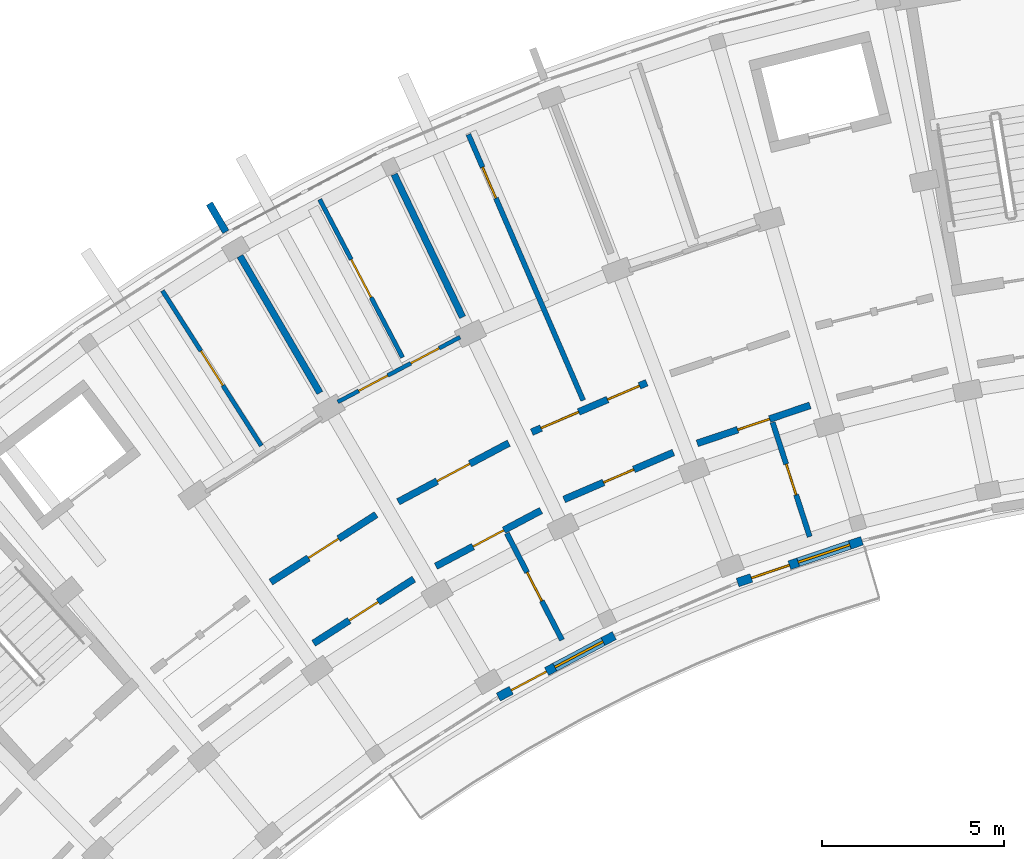
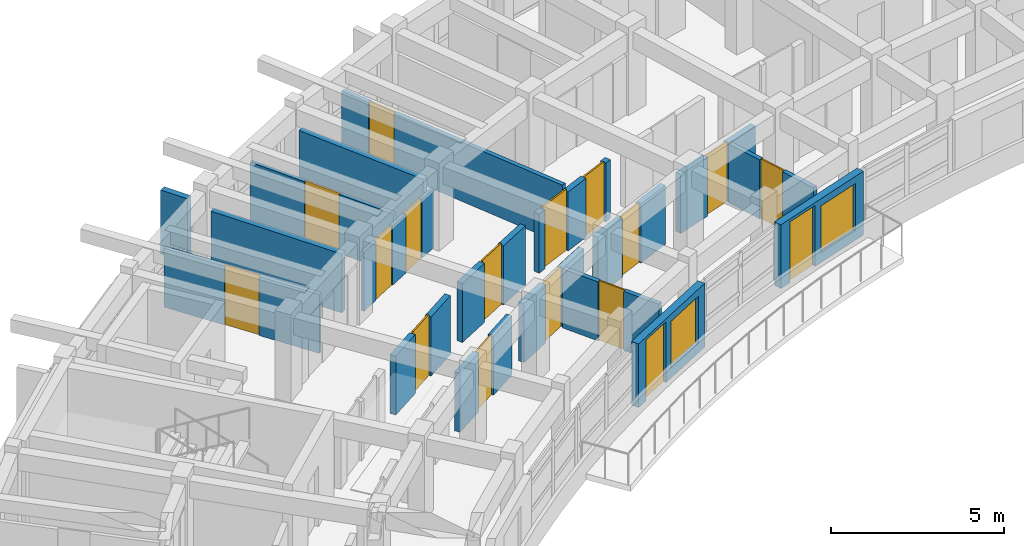
# One storey, part 28 of 54: 18 walls, 17 doors, 2 windows, 19 openings.
"""IFC4 building model written with IfcOpenShell, lengths in metres."""

from ifc_helpers import new_model, si_unit, direction, frame, frame_2d, origin, place, context, subcontext, project, spatial, rectangle, extrude, material, layer, layer_set, type_object, element, fill, save


model = new_model("IFC4")

# Units and contexts
model_context = context("Model", 3, precision=1e-05, world=origin(), true_north=direction((0.0, 1.0)))
body_context = subcontext(model_context, "Body", "Model", "MODEL_VIEW")
ifc_project = project(units=[si_unit("LENGTHUNIT", "METRE"), si_unit("AREAUNIT", "SQUARE_METRE"), si_unit("VOLUMEUNIT", "CUBIC_METRE"), si_unit("PLANEANGLEUNIT", "RADIAN"), si_unit("MASSUNIT", "GRAM", prefix="KILO")], contexts=[model_context])

# Site, building, storey
site_placement = place(None, origin())
site = spatial("IfcSite", under=ifc_project, at=site_placement, CompositionType="ELEMENT")
building_placement = place(site_placement, origin())
building = spatial("IfcBuilding", under=site, at=building_placement, Name="Zimvara Arc Housing Community", CompositionType="ELEMENT")
storey_placement = place(building_placement, frame((0.0, 0.0, 23.60009765625)))
storey = spatial("IfcBuildingStorey", under=building, at=storey_placement, Name="L07", CompositionType="ELEMENT", Elevation=23.60009765625)

# Wall
ifc_material_1 = material(Name="Board-Marked Fair-Faced Concrete C35/45", Category="concrete")
ifc_layer_1 = layer(ifc_material_1, 0.195068359375)
ifc_layer_set_1 = layer_set([ifc_layer_1], Name="Board-Marked Fair-Faced Concrete C35/45")
wall_type_1 = type_object("IfcWallType", Name="EWL-PARA-195", PredefinedType="PARAPET", material=ifc_layer_set_1)
wall_1_placement = place(storey_placement, frame((15.038818359375, 95.8134765625, 0.0), z_axis=(0.0, 0.0, 1.0), x_axis=(-0.504326383773, 0.863513114336, 0.0)))
element("IfcWall", 1, at=wall_1_placement, inside=storey, type_object=wall_type_1, Name="finwall:blkA:L07:out:b4", PredefinedType="PARAPET", context=body_context, shape_type="SweptSolid", body=[
    extrude(rectangle(XDim=0.89990234375, YDim=0.195068359375, at=frame_2d((0.449951171875, 0.0))), origin(), (0.0, 0.0, 1.0), 2.25),
])

# Wall, openings, door, window
ifc_material_2 = material(Name="Pigmented Fair-Faced Concrete C35/45", Category="concrete")
ifc_layer_2 = layer(ifc_material_2, 0.2451171875)
ifc_layer_set_2 = layer_set([ifc_layer_2], Name="Pigmented Fair-Faced Concrete C35/45")
wall_type_2 = type_object("IfcWallType", Name="EWL-PIGM-245", PredefinedType="SOLIDWALL", material=ifc_layer_set_2)
wall_2_placement = place(storey_placement, frame((22.51904296875, 83.0419921875, 0.0), z_axis=(0.0, 0.0, 1.0), x_axis=(0.883438308286, 0.468547495407, 0.0)))
wall_2 = element("IfcWall", 2, at=wall_2_placement, inside=storey, type_object=wall_type_2, Name="ewall:blkA:L07:in:b4", PredefinedType="SOLIDWALL", context=body_context, shape_type="SweptSolid", body=[
    extrude(rectangle(XDim=3.603759765625, YDim=0.2451171875, at=frame_2d((1.8017578125, 0.0))), origin(), (0.0, 0.0, 1.0), 2.25),
])
opening_1_placement = place(wall_2_placement, frame((0.39990234375, 0.0, 0.0)))
opening_1 = element("IfcOpeningElement", 3, at=opening_1_placement, cuts=wall_2, Name="Opening ED06", PredefinedType="OPENING", context=body_context, shape_type="SweptSolid", body=[
    extrude(rectangle(XDim=1.10009765625, YDim=2.14990234375, at=frame_2d((0.550048828125, 1.074951171875))), frame((0.0, 0.132568359375, 0.0), z_axis=(0.0, -1.0, 0.0), x_axis=(1.0, 0.0, 0.0)), (0.0, 0.0, 1.0), 0.26513671875),
])
opening_2_placement = place(wall_2_placement, frame((1.753662109375, 0.0, 0.35009765625)))
opening_2 = element("IfcOpeningElement", 4, at=opening_2_placement, cuts=wall_2, Name="Opening W07", PredefinedType="OPENING", context=body_context, shape_type="SweptSolid", body=[
    extrude(rectangle(XDim=1.5, YDim=1.64990234375, at=frame_2d((0.75, 0.824951171875))), frame((0.0, 0.132568359375, 0.0), z_axis=(0.0, -1.0, 0.0), x_axis=(1.0, 0.0, 0.0)), (0.0, 0.0, 1.0), 0.26513671875),
])
ifc_material_3 = material(Name="Anodised Aluminium AW-6063", Category="aluminium")
door_type_1 = type_object("IfcDoorType", Name="EDR-TERR-1100x2150", OperationType="NOTDEFINED", PredefinedType="DOOR", material=ifc_material_3)
door_1_placement = place(opening_1_placement, origin())
door_1 = element("IfcDoor", 5, at=door_1_placement, inside=storey, type_object=door_type_1, Name="edoor:blkA:L07:bal_in:b4", OperationType="SINGLE_SWING_RIGHT", OverallHeight=2.14990234375, OverallWidth=1.10009765625, PredefinedType="DOOR", context=body_context, shape_type="SweptSolid", body=[
    extrude(rectangle(XDim=1.10009765625, YDim=2.14990234375, at=frame_2d((0.550048828125, 1.074951171875))), frame((0.0, 0.02490234375, 0.0), z_axis=(0.0, -1.0, 0.0), x_axis=(1.0, 0.0, 0.0)), (0.0, 0.0, 1.0), 0.050048828125),
])
fill(opening_1, door_1)
ifc_material_4 = material(Name="Solar Control Low-E Double Glazing", Category="glass")
window_type = type_object("IfcWindowType", Name="WIN-RES-1500x1650", PartitioningType="DOUBLE_PANEL_VERTICAL", PredefinedType="WINDOW", material=ifc_material_4)
window_1_placement = place(opening_2_placement, origin())
window_1 = element("IfcWindow", 6, at=window_1_placement, inside=storey, type_object=window_type, Name="win:blkA:L07:in:b4:balw", OverallHeight=1.64990234375, OverallWidth=1.5, PartitioningType="DOUBLE_PANEL_VERTICAL", PredefinedType="WINDOW", context=body_context, shape_type="SweptSolid", body=[
    extrude(rectangle(XDim=1.5, YDim=1.64990234375, at=frame_2d((0.75, 0.824951171875))), frame((0.0, 0.030029296875, 0.0), z_axis=(0.0, -1.0, 0.0), x_axis=(1.0, 0.0, 0.0)), (0.0, 0.0, 1.0), 0.06005859375),
])
fill(opening_2, window_1)

wall_3_placement = place(storey_placement, frame((29.086669921875, 86.18505859375, 0.0), z_axis=(0.0, 0.0, 1.0), x_axis=(0.947880824442, 0.318625081649, 0.0)))
wall_3 = element("IfcWall", 7, at=wall_3_placement, inside=storey, type_object=wall_type_2, Name="ewall:blkA:L07:in:b6", PredefinedType="SOLIDWALL", context=body_context, shape_type="SweptSolid", body=[
    extrude(rectangle(XDim=3.603515625, YDim=0.2451171875, at=frame_2d((1.8017578125, 0.0))), origin(), (0.0, 0.0, 1.0), 2.25),
])
opening_3_placement = place(wall_3_placement, frame((0.39990234375, 0.0, 0.0)))
opening_3 = element("IfcOpeningElement", 8, at=opening_3_placement, cuts=wall_3, Name="Opening ED06", PredefinedType="OPENING", context=body_context, shape_type="SweptSolid", body=[
    extrude(rectangle(XDim=1.10009765625, YDim=2.14990234375, at=frame_2d((0.550048828125, 1.074951171875))), frame((0.0, 0.132568359375, 0.0), z_axis=(0.0, -1.0, 0.0), x_axis=(1.0, 0.0, 0.0)), (0.0, 0.0, 1.0), 0.26513671875),
])
opening_4_placement = place(wall_3_placement, frame((1.753662109375, 0.0, 0.35009765625)))
opening_4 = element("IfcOpeningElement", 9, at=opening_4_placement, cuts=wall_3, Name="Opening W07", PredefinedType="OPENING", context=body_context, shape_type="SweptSolid", body=[
    extrude(rectangle(XDim=1.5, YDim=1.64990234375, at=frame_2d((0.75, 0.824951171875))), frame((0.0, 0.132568359375, 0.0), z_axis=(0.0, -1.0, 0.0), x_axis=(1.0, 0.0, 0.0)), (0.0, 0.0, 1.0), 0.26513671875),
])
door_2_placement = place(opening_3_placement, origin())
door_2 = element("IfcDoor", 10, at=door_2_placement, inside=storey, type_object=door_type_1, Name="edoor:blkA:L07:bal_in:b6", OperationType="SINGLE_SWING_RIGHT", OverallHeight=2.14990234375, OverallWidth=1.10009765625, PredefinedType="DOOR", context=body_context, shape_type="SweptSolid", body=[
    extrude(rectangle(XDim=1.10009765625, YDim=2.14990234375, at=frame_2d((0.550048828125, 1.074951171875))), frame((0.0, 0.02490234375, 0.0), z_axis=(0.0, -1.0, 0.0), x_axis=(1.0, 0.0, 0.0)), (0.0, 0.0, 1.0), 0.050048828125),
])
fill(opening_3, door_2)
window_2_placement = place(opening_4_placement, origin())
window_2 = element("IfcWindow", 11, at=window_2_placement, inside=storey, type_object=window_type, Name="win:blkA:L07:in:b6:balw", OverallHeight=1.64990234375, OverallWidth=1.5, PartitioningType="DOUBLE_PANEL_VERTICAL", PredefinedType="WINDOW", context=body_context, shape_type="SweptSolid", body=[
    extrude(rectangle(XDim=1.5, YDim=1.64990234375, at=frame_2d((0.75, 0.824951171875))), frame((0.0, 0.030029296875, 0.0), z_axis=(0.0, -1.0, 0.0), x_axis=(1.0, 0.0, 0.0)), (0.0, 0.0, 1.0), 0.06005859375),
])
fill(opening_4, window_2)

# Wall, opening, door
ifc_material_5 = material(Name="Concrete C35/45", Category="concrete")
ifc_layer_3 = layer(ifc_material_5, 0.18994140625)
ifc_layer_set_3 = layer_set([ifc_layer_3], Name="Concrete C35/45")
wall_type_3 = type_object("IfcWallType", Name="IWL-CORR-190", PredefinedType="SOLIDWALL", material=ifc_layer_set_3)
wall_4_placement = place(storey_placement, frame((16.272216796875, 86.198974609375, 0.0), z_axis=(0.0, 0.0, 1.0), x_axis=(0.842257205985, 0.539075874963, 0.0)))
wall_4 = element("IfcWall", 12, at=wall_4_placement, inside=storey, type_object=wall_type_3, Name="iwall:blkA:L07:corr_out:b3", PredefinedType="SOLIDWALL", context=body_context, shape_type="SweptSolid", body=[
    extrude(rectangle(XDim=3.43603515625, YDim=0.18994140625, at=frame_2d((1.718017578125, 0.0))), origin(), (0.0, 0.0, 1.0), 2.079833984375),
])
opening_5_placement = place(wall_4_placement, frame((1.22802734375, 0.0, 0.0)))
opening_5 = element("IfcOpeningElement", 13, at=opening_5_placement, cuts=wall_4, Name="Opening FD-FL1", PredefinedType="OPENING", context=body_context, shape_type="SweptSolid", body=[
    extrude(rectangle(XDim=0.97998046875, YDim=2.14990234375, at=frame_2d((0.489990234375, 1.074951171875))), frame((0.0, 0.10498046875, 0.0), z_axis=(0.0, -1.0, 0.0), x_axis=(1.0, 0.0, 0.0)), (0.0, 0.0, 1.0), 0.2099609375),
])
ifc_material_6 = material(Name="Mozambican Hardwood", Category="wood")
door_type_2 = type_object("IfcDoorType", Name="IDR-FLAT-0980x2150", OperationType="NOTDEFINED", PredefinedType="DOOR", material=ifc_material_6)
door_3_placement = place(opening_5_placement, origin())
door_3 = element("IfcDoor", 14, at=door_3_placement, inside=storey, type_object=door_type_2, Name="idoor:blkA:L07:flat:b3", OperationType="SINGLE_SWING_RIGHT", OverallHeight=2.14990234375, OverallWidth=0.97998046875, PredefinedType="DOOR", context=body_context, shape_type="SweptSolid", body=[
    extrude(rectangle(XDim=0.97998046875, YDim=2.14990234375, at=frame_2d((0.489990234375, 1.074951171875))), frame((0.0, 0.02490234375, 0.0), z_axis=(0.0, -1.0, 0.0), x_axis=(1.0, 0.0, 0.0)), (0.0, 0.0, 1.0), 0.050048828125),
])
fill(opening_5, door_3)

wall_5_placement = place(storey_placement, frame((17.44677734375, 84.518798828125, 0.0), z_axis=(0.0, 0.0, 1.0), x_axis=(0.842225276846, 0.539125758095, 0.0)))
wall_5 = element("IfcWall", 15, at=wall_5_placement, inside=storey, type_object=wall_type_3, Name="iwall:blkA:L07:corr_in:b3", PredefinedType="SOLIDWALL", context=body_context, shape_type="SweptSolid", body=[
    extrude(rectangle(XDim=3.2685546875, YDim=0.18994140625, at=frame_2d((1.63427734375, 0.0))), origin(), (0.0, 0.0, 1.0), 2.079833984375),
])
opening_6_placement = place(wall_5_placement, frame((1.164306640625, 0.0, 0.0)))
opening_6 = element("IfcOpeningElement", 16, at=opening_6_placement, cuts=wall_5, Name="Opening D03", PredefinedType="OPENING", context=body_context, shape_type="SweptSolid", body=[
    extrude(rectangle(XDim=0.93994140625, YDim=2.10009765625, at=frame_2d((0.469970703125, 1.050048828125))), frame((0.0, 0.10498046875, 0.0), z_axis=(0.0, -1.0, 0.0), x_axis=(1.0, 0.0, 0.0)), (0.0, 0.0, 1.0), 0.2099609375),
])
ifc_material_7 = material(Name="Mozambican Hardwood", Category="wood")
door_type_3 = type_object("IfcDoorType", Name="IDR-RM-0940x2100", OperationType="NOTDEFINED", PredefinedType="DOOR", material=ifc_material_7)
door_4_placement = place(opening_6_placement, origin())
door_4 = element("IfcDoor", 17, at=door_4_placement, inside=storey, type_object=door_type_3, Name="idoor:blkA:L07:in_rm:b3", OperationType="SINGLE_SWING_LEFT", OverallHeight=2.10009765625, OverallWidth=0.93994140625, PredefinedType="DOOR", context=body_context, shape_type="SweptSolid", body=[
    extrude(rectangle(XDim=0.93994140625, YDim=2.10009765625, at=frame_2d((0.469970703125, 1.050048828125))), frame((0.0, 0.02490234375, 0.0), z_axis=(0.0, -1.0, 0.0), x_axis=(1.0, 0.0, 0.0)), (0.0, 0.0, 1.0), 0.050048828125),
])
fill(opening_6, door_4)

wall_6_placement = place(storey_placement, frame((19.770263671875, 88.40380859375, 0.0), z_axis=(0.0, 0.0, 1.0), x_axis=(0.883410853063, 0.468599258099, 0.0)))
wall_6 = element("IfcWall", 18, at=wall_6_placement, inside=storey, type_object=wall_type_3, Name="iwall:blkA:L07:corr_out:b4", PredefinedType="SOLIDWALL", context=body_context, shape_type="SweptSolid", body=[
    extrude(rectangle(XDim=3.43603515625, YDim=0.18994140625, at=frame_2d((1.718017578125, 0.0))), origin(), (0.0, 0.0, 1.0), 2.079833984375),
])
opening_7_placement = place(wall_6_placement, frame((1.2080078125, 0.0, 0.0)))
opening_7 = element("IfcOpeningElement", 19, at=opening_7_placement, cuts=wall_6, Name="Opening FD-FL2", PredefinedType="OPENING", context=body_context, shape_type="SweptSolid", body=[
    extrude(rectangle(XDim=1.02001953125, YDim=2.14990234375, at=frame_2d((0.510009765625, 1.074951171875))), frame((0.0, 0.10498046875, 0.0), z_axis=(0.0, -1.0, 0.0), x_axis=(1.0, 0.0, 0.0)), (0.0, 0.0, 1.0), 0.2099609375),
])
ifc_material_8 = material(Name="Mozambican Hardwood", Category="wood")
door_type_4 = type_object("IfcDoorType", Name="IDR-FLAT-1020x2150", OperationType="NOTDEFINED", PredefinedType="DOOR", material=ifc_material_8)
door_5_placement = place(opening_7_placement, origin())
door_5 = element("IfcDoor", 20, at=door_5_placement, inside=storey, type_object=door_type_4, Name="idoor:blkA:L07:flat:b4", OperationType="SINGLE_SWING_LEFT", OverallHeight=2.14990234375, OverallWidth=1.02001953125, PredefinedType="DOOR", context=body_context, shape_type="SweptSolid", body=[
    extrude(rectangle(XDim=1.02001953125, YDim=2.14990234375, at=frame_2d((0.510009765625, 1.074951171875))), frame((0.0, 0.02490234375, 0.0), z_axis=(0.0, -1.0, 0.0), x_axis=(1.0, 0.0, 0.0)), (0.0, 0.0, 1.0), 0.050048828125),
])
fill(opening_7, door_5)

wall_7_placement = place(storey_placement, frame((20.8037109375, 86.633544921875, 0.0), z_axis=(0.0, 0.0, 1.0), x_axis=(0.883444301944, 0.468536194293, 0.0)))
wall_7 = element("IfcWall", 21, at=wall_7_placement, inside=storey, type_object=wall_type_3, Name="iwall:blkA:L07:corr_in:b4", PredefinedType="SOLIDWALL", context=body_context, shape_type="SweptSolid", body=[
    extrude(rectangle(XDim=3.268798828125, YDim=0.18994140625, at=frame_2d((1.63427734375, 0.0))), origin(), (0.0, 0.0, 1.0), 2.079833984375),
])
opening_8_placement = place(wall_7_placement, frame((1.154296875, 0.0, 0.0)))
opening_8 = element("IfcOpeningElement", 22, at=opening_8_placement, cuts=wall_7, Name="Opening D04", PredefinedType="OPENING", context=body_context, shape_type="SweptSolid", body=[
    extrude(rectangle(XDim=0.9599609375, YDim=2.10009765625, at=frame_2d((0.47998046875, 1.050048828125))), frame((0.0, 0.10498046875, 0.0), z_axis=(0.0, -1.0, 0.0), x_axis=(1.0, 0.0, 0.0)), (0.0, 0.0, 1.0), 0.2099609375),
])
ifc_material_9 = material(Name="Mozambican Hardwood", Category="wood")
door_type_5 = type_object("IfcDoorType", Name="IDR-RM-0960x2100", OperationType="NOTDEFINED", PredefinedType="DOOR", material=ifc_material_9)
door_6_placement = place(opening_8_placement, origin())
door_6 = element("IfcDoor", 23, at=door_6_placement, inside=storey, type_object=door_type_5, Name="idoor:blkA:L07:in_rm:b4", OperationType="SINGLE_SWING_RIGHT", OverallHeight=2.10009765625, OverallWidth=0.9599609375, PredefinedType="DOOR", context=body_context, shape_type="SweptSolid", body=[
    extrude(rectangle(XDim=0.9599609375, YDim=2.10009765625, at=frame_2d((0.47998046875, 1.050048828125))), frame((0.0, 0.02490234375, 0.0), z_axis=(0.0, -1.0, 0.0), x_axis=(1.0, 0.0, 0.0)), (0.0, 0.0, 1.0), 0.050048828125),
])
fill(opening_8, door_6)

# Wall, openings, doors
wall_8_placement = place(storey_placement, frame((23.4365234375, 90.31591796875, 0.0), z_axis=(0.0, 0.0, 1.0), x_axis=(0.918718172399, 0.394913813008, 0.0)))
wall_8 = element("IfcWall", 24, at=wall_8_placement, inside=storey, type_object=wall_type_3, Name="iwall:blkA:L07:corr_out:b5", PredefinedType="SOLIDWALL", context=body_context, shape_type="SweptSolid", body=[
    extrude(rectangle(XDim=3.43603515625, YDim=0.18994140625, at=frame_2d((1.718017578125, 0.0))), origin(), (0.0, 0.0, 1.0), 2.079833984375),
])
opening_9_placement = place(wall_8_placement, frame((0.280029296875, 0.0, 0.0)))
opening_9 = element("IfcOpeningElement", 25, at=opening_9_placement, cuts=wall_8, Name="Opening D07", PredefinedType="OPENING", context=body_context, shape_type="SweptSolid", body=[
    extrude(rectangle(XDim=1.1201171875, YDim=2.14990234375, at=frame_2d((0.56005859375, 1.074951171875))), frame((0.0, 0.10498046875, 0.0), z_axis=(0.0, -1.0, 0.0), x_axis=(1.0, 0.0, 0.0)), (0.0, 0.0, 1.0), 0.2099609375),
])
opening_10_placement = place(wall_8_placement, frame((2.26611328125, 0.0, 0.0)))
opening_10 = element("IfcOpeningElement", 26, at=opening_10_placement, cuts=wall_8, Name="Opening D06", PredefinedType="OPENING", context=body_context, shape_type="SweptSolid", body=[
    extrude(rectangle(XDim=0.949951171875, YDim=2.10009765625, at=frame_2d((0.47509765625, 1.050048828125))), frame((0.0, 0.10498046875, 0.0), z_axis=(0.0, -1.0, 0.0), x_axis=(1.0, 0.0, 0.0)), (0.0, 0.0, 1.0), 0.2099609375),
])
ifc_material_10 = material(Name="Mozambican Hardwood", Category="wood")
door_type_6 = type_object("IfcDoorType", Name="IDR-AMN-1120x2150", OperationType="NOTDEFINED", PredefinedType="DOOR", material=ifc_material_10)
door_7_placement = place(opening_9_placement, origin())
door_7 = element("IfcDoor", 27, at=door_7_placement, inside=storey, type_object=door_type_6, Name="idoor:blkA:L07:amen:b5", OperationType="SINGLE_SWING_LEFT", OverallHeight=2.14990234375, OverallWidth=1.1201171875, PredefinedType="DOOR", context=body_context, shape_type="SweptSolid", body=[
    extrude(rectangle(XDim=1.1201171875, YDim=2.14990234375, at=frame_2d((0.56005859375, 1.074951171875))), frame((0.0, 0.02490234375, 0.0), z_axis=(0.0, -1.0, 0.0), x_axis=(1.0, 0.0, 0.0)), (0.0, 0.0, 1.0), 0.050048828125),
])
fill(opening_9, door_7)
ifc_material_11 = material(Name="Mozambican Hardwood", Category="wood")
door_type_7 = type_object("IfcDoorType", Name="IDR-AWC-0950x2100", OperationType="NOTDEFINED", PredefinedType="DOOR", material=ifc_material_11)
door_8_placement = place(opening_10_placement, origin())
door_8 = element("IfcDoor", 28, at=door_8_placement, inside=storey, type_object=door_type_7, Name="idoor:blkA:L07:cawc:b5", OperationType="SINGLE_SWING_RIGHT", OverallHeight=2.10009765625, OverallWidth=0.949951171875, PredefinedType="DOOR", context=body_context, shape_type="SweptSolid", body=[
    extrude(rectangle(XDim=0.949951171875, YDim=2.10009765625, at=frame_2d((0.47509765625, 1.050048828125))), frame((0.0, 0.02490234375, 0.0), z_axis=(0.0, -1.0, 0.0), x_axis=(1.0, 0.0, 0.0)), (0.0, 0.0, 1.0), 0.050048828125),
])
fill(opening_10, door_8)

# Wall, opening, door
wall_9_placement = place(storey_placement, frame((24.322265625, 88.46728515625, 0.0), z_axis=(0.0, 0.0, 1.0), x_axis=(0.918723391052, 0.394901672235, 0.0)))
wall_9 = element("IfcWall", 29, at=wall_9_placement, inside=storey, type_object=wall_type_3, Name="iwall:blkA:L07:corr_in:b5", PredefinedType="SOLIDWALL", context=body_context, shape_type="SweptSolid", body=[
    extrude(rectangle(XDim=3.2685546875, YDim=0.18994140625, at=frame_2d((1.63427734375, 0.0))), origin(), (0.0, 0.0, 1.0), 2.079833984375),
])
opening_11_placement = place(wall_9_placement, frame((1.184326171875, 0.0, 0.0)))
opening_11 = element("IfcOpeningElement", 30, at=opening_11_placement, cuts=wall_9, Name="Opening D01", PredefinedType="OPENING", context=body_context, shape_type="SweptSolid", body=[
    extrude(rectangle(XDim=0.89990234375, YDim=2.10009765625, at=frame_2d((0.449951171875, 1.050048828125))), frame((0.0, 0.10498046875, 0.0), z_axis=(0.0, -1.0, 0.0), x_axis=(1.0, 0.0, 0.0)), (0.0, 0.0, 1.0), 0.2099609375),
])
ifc_material_12 = material(Name="Mozambican Hardwood", Category="wood")
door_type_8 = type_object("IfcDoorType", Name="IDR-RM-0900x2100", OperationType="NOTDEFINED", PredefinedType="DOOR", material=ifc_material_12)
door_9_placement = place(opening_11_placement, origin())
door_9 = element("IfcDoor", 31, at=door_9_placement, inside=storey, type_object=door_type_8, Name="idoor:blkA:L07:in_rm:b5", OperationType="SINGLE_SWING_LEFT", OverallHeight=2.10009765625, OverallWidth=0.89990234375, PredefinedType="DOOR", context=body_context, shape_type="SweptSolid", body=[
    extrude(rectangle(XDim=0.89990234375, YDim=2.10009765625, at=frame_2d((0.449951171875, 1.050048828125))), frame((0.0, 0.02490234375, 0.0), z_axis=(0.0, -1.0, 0.0), x_axis=(1.0, 0.0, 0.0)), (0.0, 0.0, 1.0), 0.050048828125),
])
fill(opening_11, door_9)

wall_10_placement = place(storey_placement, frame((27.978515625, 90.0078125, 0.0), z_axis=(0.0, 0.0, 1.0), x_axis=(0.94787351033, 0.318646839643, 0.0)))
wall_10 = element("IfcWall", 32, at=wall_10_placement, inside=storey, type_object=wall_type_3, Name="iwall:blkA:L07:corr_in:b6", PredefinedType="SOLIDWALL", context=body_context, shape_type="SweptSolid", body=[
    extrude(rectangle(XDim=3.2685546875, YDim=0.18994140625, at=frame_2d((1.63427734375, 0.0))), origin(), (0.0, 0.0, 1.0), 2.079833984375),
])
opening_12_placement = place(wall_10_placement, frame((1.17431640625, 0.0, 0.0)))
opening_12 = element("IfcOpeningElement", 33, at=opening_12_placement, cuts=wall_10, Name="Opening D02", PredefinedType="OPENING", context=body_context, shape_type="SweptSolid", body=[
    extrude(rectangle(XDim=0.919921875, YDim=2.10009765625, at=frame_2d((0.4599609375, 1.050048828125))), frame((0.0, 0.10498046875, 0.0), z_axis=(0.0, -1.0, 0.0), x_axis=(1.0, 0.0, 0.0)), (0.0, 0.0, 1.0), 0.2099609375),
])
ifc_material_13 = material(Name="Mozambican Hardwood", Category="wood")
door_type_9 = type_object("IfcDoorType", Name="IDR-RM-0920x2100", OperationType="NOTDEFINED", PredefinedType="DOOR", material=ifc_material_13)
door_10_placement = place(opening_12_placement, origin())
door_10 = element("IfcDoor", 34, at=door_10_placement, inside=storey, type_object=door_type_9, Name="idoor:blkA:L07:in_rm:b6", OperationType="SINGLE_SWING_RIGHT", OverallHeight=2.10009765625, OverallWidth=0.919921875, PredefinedType="DOOR", context=body_context, shape_type="SweptSolid", body=[
    extrude(rectangle(XDim=0.919921875, YDim=2.10009765625, at=frame_2d((0.4599609375, 1.050048828125))), frame((0.0, 0.02490234375, 0.0), z_axis=(0.0, -1.0, 0.0), x_axis=(1.0, 0.0, 0.0)), (0.0, 0.0, 1.0), 0.050048828125),
])
fill(opening_12, door_10)

# Walls
ifc_material_14 = material(Name="Concrete C35/45", Category="concrete")
ifc_layer_4 = layer(ifc_material_14, 0.18505859375)
ifc_layer_set_4 = layer_set([ifc_layer_4], Name="Concrete C35/45")
wall_type_4 = type_object("IfcWallType", Name="IWL-FLAT-185", PredefinedType="SOLIDWALL", material=ifc_layer_set_4)
for number, where, z_axis, x_axis, name in (
    (35, (17.62060546875, 91.391845703125, 0.0), (0.0, 0.0, 1.0), (-0.504216452091, 0.863577309475, 0.0), "iwall:blkA:L07:party:b4"),
    (36, (21.537841796875, 93.469482421875, 0.0), (0.0, 0.0, 1.0), (-0.432086898897, 0.901831975371, 0.0), "iwall:blkA:L07:party:b5"),
):
    element("IfcWall", number, at=place(storey_placement, frame(where, z_axis=z_axis, x_axis=x_axis)), inside=storey, type_object=wall_type_4, Name=name, PredefinedType="SOLIDWALL", context=body_context, shape_type="SweptSolid", body=[
        extrude(rectangle(XDim=4.35009765625, YDim=0.18505859375, at=frame_2d((2.175048828125, 0.0))), origin(), (0.0, 0.0, 1.0), 2.079833984375),
    ])

# Wall, openings, doors
ifc_material_15 = material(Name="Painted Acoustic Plasterboard")
ifc_layer_5 = layer(ifc_material_15, 0.110107421875)
ifc_layer_set_5 = layer_set([ifc_layer_5], Name="Painted Acoustic Plasterboard")
wall_type_5 = type_object("IfcWallType", Name="IWL-PART-110", PredefinedType="PARTITIONING", material=ifc_layer_set_5)
wall_11_placement = place(storey_placement, frame((18.112548828125, 91.143798828125, 0.0), z_axis=(0.0, 0.0, 1.0), x_axis=(0.88341855112, 0.46858474531, 0.0)))
wall_11 = element("IfcWall", 37, at=wall_11_placement, inside=storey, type_object=wall_type_5, Name="iwall:blkA:L07:srv:b4", PredefinedType="PARTITIONING", context=body_context, shape_type="SweptSolid", body=[
    extrude(rectangle(XDim=3.797119140625, YDim=0.110107421875, at=frame_2d((1.8984375, 0.0))), origin(), (0.0, 0.0, 1.0), 2.079833984375),
])
opening_13_placement = place(wall_11_placement, frame((0.64990234375, 0.0, 0.0)))
opening_13 = element("IfcOpeningElement", 38, at=opening_13_placement, cuts=wall_11, Name="Opening D01", PredefinedType="OPENING", context=body_context, shape_type="SweptSolid", body=[
    extrude(rectangle(XDim=0.89990234375, YDim=2.10009765625, at=frame_2d((0.449951171875, 1.050048828125))), frame((0.0, 0.06494140625, 0.0), z_axis=(0.0, -1.0, 0.0), x_axis=(1.0, 0.0, 0.0)), (0.0, 0.0, 1.0), 0.130126953125),
])
opening_14_placement = place(wall_11_placement, frame((2.267333984375, 0.0, 0.0)))
opening_14 = element("IfcOpeningElement", 39, at=opening_14_placement, cuts=wall_11, Name="Opening D05", PredefinedType="OPENING", context=body_context, shape_type="SweptSolid", body=[
    extrude(rectangle(XDim=0.8798828125, YDim=2.10009765625, at=frame_2d((0.43994140625, 1.050048828125))), frame((0.0, 0.06494140625, 0.0), z_axis=(0.0, -1.0, 0.0), x_axis=(1.0, 0.0, 0.0)), (0.0, 0.0, 1.0), 0.130126953125),
])
door_11_placement = place(opening_13_placement, origin())
door_11 = element("IfcDoor", 40, at=door_11_placement, inside=storey, type_object=door_type_8, Name="idoor:blkA:L07:kit_liv:b4", OperationType="SINGLE_SWING_RIGHT", OverallHeight=2.10009765625, OverallWidth=0.89990234375, PredefinedType="DOOR", context=body_context, shape_type="SweptSolid", body=[
    extrude(rectangle(XDim=0.89990234375, YDim=2.10009765625, at=frame_2d((0.449951171875, 1.050048828125))), frame((0.0, 0.02490234375, 0.0), z_axis=(0.0, -1.0, 0.0), x_axis=(1.0, 0.0, 0.0)), (0.0, 0.0, 1.0), 0.050048828125),
])
fill(opening_13, door_11)
ifc_material_16 = material(Name="Mozambican Hardwood", Category="wood")
door_type_10 = type_object("IfcDoorType", Name="IDR-WC-0880x2100", OperationType="NOTDEFINED", PredefinedType="DOOR", material=ifc_material_16)
door_12_placement = place(opening_14_placement, origin())
door_12 = element("IfcDoor", 41, at=door_12_placement, inside=storey, type_object=door_type_10, Name="idoor:blkA:L07:bath_d:b4", OperationType="SINGLE_SWING_LEFT", OverallHeight=2.10009765625, OverallWidth=0.8798828125, PredefinedType="DOOR", context=body_context, shape_type="SweptSolid", body=[
    extrude(rectangle(XDim=0.8798828125, YDim=2.10009765625, at=frame_2d((0.43994140625, 1.050048828125))), frame((0.0, 0.02490234375, 0.0), z_axis=(0.0, -1.0, 0.0), x_axis=(1.0, 0.0, 0.0)), (0.0, 0.0, 1.0), 0.050048828125),
])
fill(opening_14, door_12)

# Wall, opening, door
ifc_material_17 = material(Name="Painted Acoustic Plasterboard")
ifc_layer_6 = layer(ifc_material_17, 0.1201171875)
ifc_layer_set_6 = layer_set([ifc_layer_6], Name="Painted Acoustic Plasterboard")
wall_type_6 = type_object("IfcWallType", Name="IWL-PART-120", PredefinedType="PARTITIONING", material=ifc_layer_set_6)
wall_12_placement = place(storey_placement, frame((16.012939453125, 89.94189453125, 0.0), z_axis=(0.0, 0.0, 1.0), x_axis=(-0.537785480308, 0.843081714409, 0.0)))
wall_12 = element("IfcWall", 42, at=wall_12_placement, inside=storey, type_object=wall_type_6, Name="iwall:blkA:L07:bed_div:b3", PredefinedType="PARTITIONING", context=body_context, shape_type="SweptSolid", body=[
    extrude(rectangle(XDim=5.050048828125, YDim=0.1201171875, at=frame_2d((2.52490234375, 0.0))), origin(), (0.0, 0.0, 1.0), 2.079833984375),
])
opening_15_placement = place(wall_12_placement, frame((1.9599609375, 0.0, 0.0)))
opening_15 = element("IfcOpeningElement", 43, at=opening_15_placement, cuts=wall_12, Name="Opening D17", PredefinedType="OPENING", context=body_context, shape_type="SweptSolid", body=[
    extrude(rectangle(XDim=1.1298828125, YDim=2.10009765625, at=frame_2d((0.56494140625, 1.050048828125))), frame((0.0, 0.070068359375, 0.0), z_axis=(0.0, -1.0, 0.0), x_axis=(1.0, 0.0, 0.0)), (0.0, 0.0, 1.0), 0.14013671875),
])
ifc_material_18 = material(Name="Mozambican Hardwood", Category="wood")
door_type_11 = type_object("IfcDoorType", Name="IDR-MOD-1130x2240", OperationType="NOTDEFINED", PredefinedType="DOOR", material=ifc_material_18)
door_13_placement = place(opening_15_placement, origin())
door_13 = element("IfcDoor", 44, at=door_13_placement, inside=storey, type_object=door_type_11, Name="idoor:blkA:L07:bed_d:b3", OperationType="SINGLE_SWING_RIGHT", OverallHeight=2.10009765625, OverallWidth=1.1298828125, PredefinedType="DOOR", context=body_context, shape_type="SweptSolid", body=[
    extrude(rectangle(XDim=1.1298828125, YDim=2.10009765625, at=frame_2d((0.56494140625, 1.050048828125))), frame((0.0, 0.02490234375, 0.0), z_axis=(0.0, -1.0, 0.0), x_axis=(1.0, 0.0, 0.0)), (0.0, 0.0, 1.0), 0.050048828125),
])
fill(opening_15, door_13)

wall_13_placement = place(storey_placement, frame((19.891357421875, 92.364013671875, 0.0), z_axis=(0.0, 0.0, 1.0), x_axis=(-0.464567298878, 0.885537816704, 0.0)))
wall_13 = element("IfcWall", 45, at=wall_13_placement, inside=storey, type_object=wall_type_6, Name="iwall:blkA:L07:bed_div:b4", PredefinedType="PARTITIONING", context=body_context, shape_type="SweptSolid", body=[
    extrude(rectangle(XDim=4.89990234375, YDim=0.1201171875, at=frame_2d((2.449951171875, 0.0))), origin(), (0.0, 0.0, 1.0), 2.079833984375),
])
opening_16_placement = place(wall_13_placement, frame((1.860107421875, 0.0, 0.0)))
opening_16 = element("IfcOpeningElement", 46, at=opening_16_placement, cuts=wall_13, Name="Opening D18", PredefinedType="OPENING", context=body_context, shape_type="SweptSolid", body=[
    extrude(rectangle(XDim=1.179931640625, YDim=2.10009765625, at=frame_2d((0.58984375, 1.050048828125))), frame((0.0, 0.070068359375, 0.0), z_axis=(0.0, -1.0, 0.0), x_axis=(1.0, 0.0, 0.0)), (0.0, 0.0, 1.0), 0.14013671875),
])
ifc_material_19 = material(Name="Mozambican Hardwood", Category="wood")
door_type_12 = type_object("IfcDoorType", Name="IDR-MOD-1180x2120", OperationType="NOTDEFINED", PredefinedType="DOOR", material=ifc_material_19)
door_14_placement = place(opening_16_placement, origin())
door_14 = element("IfcDoor", 47, at=door_14_placement, inside=storey, type_object=door_type_12, Name="idoor:blkA:L07:bed_d:b4", OperationType="SINGLE_SWING_RIGHT", OverallHeight=2.10009765625, OverallWidth=1.179931640625, PredefinedType="DOOR", context=body_context, shape_type="SweptSolid", body=[
    extrude(rectangle(XDim=1.179931640625, YDim=2.10009765625, at=frame_2d((0.58984375, 1.050048828125))), frame((0.0, 0.02490234375, 0.0), z_axis=(0.0, -1.0, 0.0), x_axis=(1.0, 0.0, 0.0)), (0.0, 0.0, 1.0), 0.050048828125),
])
fill(opening_16, door_14)

ifc_material_20 = material(Name="Painted Acoustic Plasterboard")
ifc_layer_7 = layer(ifc_material_20, 0.139892578125)
ifc_layer_set_7 = layer_set([ifc_layer_7], Name="Painted Acoustic Plasterboard")
wall_type_7 = type_object("IfcWallType", Name="IWL-PART-140", PredefinedType="PARTITIONING", material=ifc_layer_set_7)
wall_14_placement = place(storey_placement, frame((24.8486328125, 91.186767578125, 0.0), z_axis=(0.0, 0.0, 1.0), x_axis=(-0.396278945437, 0.91813016365, 0.0)))
wall_14 = element("IfcWall", 48, at=wall_14_placement, inside=storey, type_object=wall_type_7, Name="iwall:blkA:L07:amen_div:b5", PredefinedType="PARTITIONING", context=body_context, shape_type="SweptSolid", body=[
    extrude(rectangle(XDim=7.949951171875, YDim=0.139892578125, at=frame_2d((3.97509765625, 0.0))), origin(), (0.0, 0.0, 1.0), 2.079833984375),
])
opening_17_placement = place(wall_14_placement, frame((6.050048828125, 0.0, 0.0)))
opening_17 = element("IfcOpeningElement", 49, at=opening_17_placement, cuts=wall_14, Name="Opening D02", PredefinedType="OPENING", context=body_context, shape_type="SweptSolid", body=[
    extrude(rectangle(XDim=0.919921875, YDim=2.10009765625, at=frame_2d((0.4599609375, 1.050048828125))), frame((0.0, 0.079833984375, 0.0), z_axis=(0.0, -1.0, 0.0), x_axis=(1.0, 0.0, 0.0)), (0.0, 0.0, 1.0), 0.159912109375),
])
door_15_placement = place(opening_17_placement, origin())
door_15 = element("IfcDoor", 50, at=door_15_placement, inside=storey, type_object=door_type_9, Name="idoor:blkA:L07:laund_d:b5", OperationType="SINGLE_SWING_RIGHT", OverallHeight=2.10009765625, OverallWidth=0.919921875, PredefinedType="DOOR", context=body_context, shape_type="SweptSolid", body=[
    extrude(rectangle(XDim=0.919921875, YDim=2.10009765625, at=frame_2d((0.4599609375, 1.050048828125))), frame((0.0, 0.02490234375, 0.0), z_axis=(0.0, -1.0, 0.0), x_axis=(1.0, 0.0, 0.0)), (0.0, 0.0, 1.0), 0.050048828125),
])
fill(opening_17, door_15)

ifc_material_21 = material(Name="Painted Acoustic Plasterboard")
ifc_layer_8 = layer(ifc_material_21, 0.14501953125)
ifc_layer_set_8 = layer_set([ifc_layer_8], Name="Painted Acoustic Plasterboard")
wall_type_8 = type_object("IfcWallType", Name="IWL-WET-145", PredefinedType="PARTITIONING", material=ifc_layer_set_8)
wall_15_placement = place(storey_placement, frame((24.267333984375, 84.6083984375, 0.0), z_axis=(0.0, 0.0, 1.0), x_axis=(-0.459217611894, 0.888323806349, 0.0)))
wall_15 = element("IfcWall", 51, at=wall_15_placement, inside=storey, type_object=wall_type_8, Name="iwall:blkA:L07:ens:b4", PredefinedType="PARTITIONING", context=body_context, shape_type="SweptSolid", body=[
    extrude(rectangle(XDim=3.2998046875, YDim=0.14501953125, at=frame_2d((1.64990234375, 0.0))), origin(), (0.0, 0.0, 1.0), 2.079833984375),
])
opening_18_placement = place(wall_15_placement, frame((1.2099609375, 0.0, 0.0)))
opening_18 = element("IfcOpeningElement", 52, at=opening_18_placement, cuts=wall_15, Name="Opening D05", PredefinedType="OPENING", context=body_context, shape_type="SweptSolid", body=[
    extrude(rectangle(XDim=0.8798828125, YDim=2.10009765625, at=frame_2d((0.43994140625, 1.050048828125))), frame((0.0, 0.08251953125, 0.0), z_axis=(0.0, -1.0, 0.0), x_axis=(1.0, 0.0, 0.0)), (0.0, 0.0, 1.0), 0.1650390625),
])
door_16_placement = place(opening_18_placement, origin())
door_16 = element("IfcDoor", 53, at=door_16_placement, inside=storey, type_object=door_type_10, Name="idoor:blkA:L07:ens_d:b4", OperationType="SINGLE_SWING_LEFT", OverallHeight=2.10009765625, OverallWidth=0.8798828125, PredefinedType="DOOR", context=body_context, shape_type="SweptSolid", body=[
    extrude(rectangle(XDim=0.8798828125, YDim=2.10009765625, at=frame_2d((0.43994140625, 1.050048828125))), frame((0.0, 0.02490234375, 0.0), z_axis=(0.0, -1.0, 0.0), x_axis=(1.0, 0.0, 0.0)), (0.0, 0.0, 1.0), 0.050048828125),
])
fill(opening_18, door_16)

wall_16_placement = place(storey_placement, frame((31.06640625, 87.4462890625, 0.0), z_axis=(0.0, 0.0, 1.0), x_axis=(-0.308582493915, 0.951197584337, 0.0)))
wall_16 = element("IfcWall", 54, at=wall_16_placement, inside=storey, type_object=wall_type_8, Name="iwall:blkA:L07:ens:b6", PredefinedType="PARTITIONING", context=body_context, shape_type="SweptSolid", body=[
    extrude(rectangle(XDim=3.300048828125, YDim=0.14501953125, at=frame_2d((1.64990234375, 0.0))), origin(), (0.0, 0.0, 1.0), 2.079833984375),
])
opening_19_placement = place(wall_16_placement, frame((1.2099609375, 0.0, 0.0)))
opening_19 = element("IfcOpeningElement", 55, at=opening_19_placement, cuts=wall_16, Name="Opening D05", PredefinedType="OPENING", context=body_context, shape_type="SweptSolid", body=[
    extrude(rectangle(XDim=0.8798828125, YDim=2.10009765625, at=frame_2d((0.43994140625, 1.050048828125))), frame((0.0, 0.08251953125, 0.0), z_axis=(0.0, -1.0, 0.0), x_axis=(1.0, 0.0, 0.0)), (0.0, 0.0, 1.0), 0.1650390625),
])
door_17_placement = place(opening_19_placement, origin())
door_17 = element("IfcDoor", 56, at=door_17_placement, inside=storey, type_object=door_type_10, Name="idoor:blkA:L07:ens_d:b6", OperationType="SINGLE_SWING_LEFT", OverallHeight=2.10009765625, OverallWidth=0.8798828125, PredefinedType="DOOR", context=body_context, shape_type="SweptSolid", body=[
    extrude(rectangle(XDim=0.8798828125, YDim=2.10009765625, at=frame_2d((0.43994140625, 1.050048828125))), frame((0.0, 0.02490234375, 0.0), z_axis=(0.0, -1.0, 0.0), x_axis=(1.0, 0.0, 0.0)), (0.0, 0.0, 1.0), 0.050048828125),
])
fill(opening_19, door_17)

save(model, "model.ifc")
